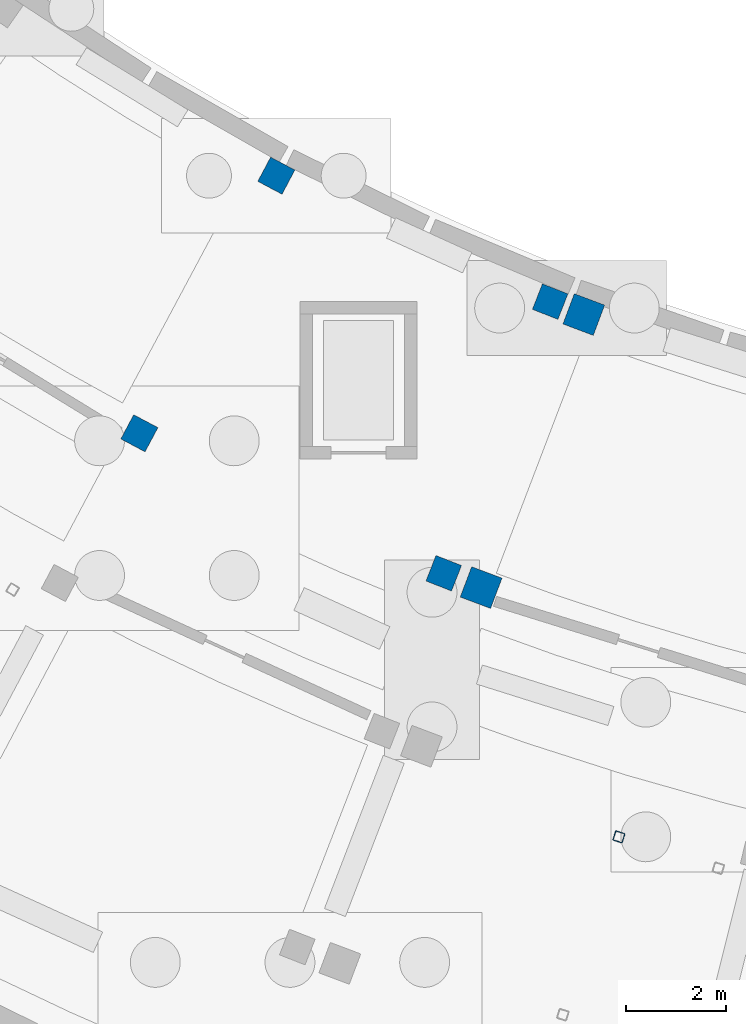
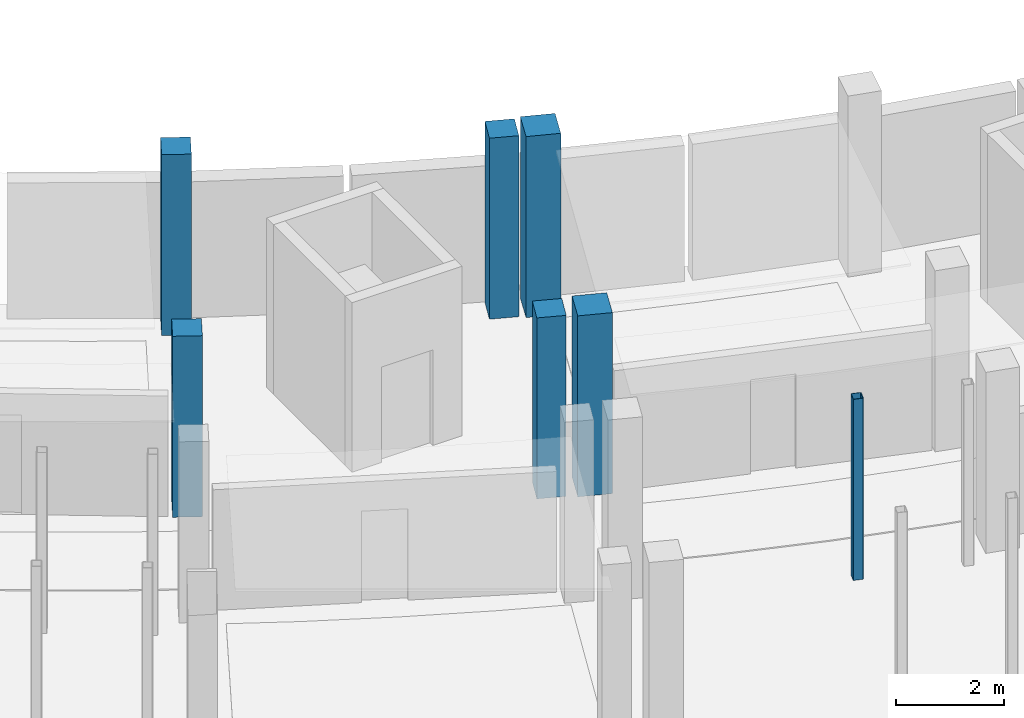
# One storey, part 14 of 58: 7 columns.
"""IFC4 building model written with IfcOpenShell, lengths in metres."""

from ifc_helpers import new_model, si_unit, direction, frame, origin, origin_2d, place, context, subcontext, project, spatial, rectangle, hollow_rectangle, extrude, material, material_profile, profile_set, type_object, element, save


model = new_model("IFC4")

# Units and contexts
model_context = context("Model", 3, precision=1e-05, world=origin(), true_north=direction((0.0, 1.0)))
body_context = subcontext(model_context, "Body", "Model", "MODEL_VIEW")
ifc_project = project(units=[si_unit("LENGTHUNIT", "METRE"), si_unit("AREAUNIT", "SQUARE_METRE"), si_unit("VOLUMEUNIT", "CUBIC_METRE"), si_unit("PLANEANGLEUNIT", "RADIAN"), si_unit("MASSUNIT", "GRAM", prefix="KILO")], contexts=[model_context])

# Site, building, storey
site_placement = place(None, origin())
site = spatial("IfcSite", under=ifc_project, at=site_placement, CompositionType="ELEMENT")
building_placement = place(site_placement, origin())
building = spatial("IfcBuilding", under=site, at=building_placement, Name="Caldaven Crescent School", CompositionType="ELEMENT")
storey_placement = place(building_placement, frame((0.0, 0.0, -4.080078125)))
storey = spatial("IfcBuildingStorey", under=building, at=storey_placement, Name="B1", CompositionType="ELEMENT", Elevation=-4.080078125)

# Columns
ifc_material_1 = material(Name="Steel ASTM A572 Grade 50", Category="steel")
ifc_material_profile_1 = material_profile(ifc_material_1, hollow_rectangle(XDim=0.199951171875, YDim=0.199951171875, WallThickness=0.010009765625, InnerFilletRadius=0.010009765625, OuterFilletRadius=0.02001953125, at=origin_2d()), Name="HSS 200x200x10")
ifc_profile_set_1 = profile_set([ifc_material_profile_1], Name="Steel ASTM A572 Grade 50")
column_type_1 = type_object("IfcColumnType", Name="COL-HS20", PredefinedType="COLUMN", material=ifc_profile_set_1)
column_placement = place(storey_placement, frame((70.245849609375, 36.431884765625, 0.0), z_axis=(0.0, 0.0, 1.0), x_axis=(0.953716950748, -0.300705799504, 0.0)))
element("IfcColumn", 1, at=column_placement, inside=storey, type_object=column_type_1, Name="COL-STPOST-ST2-B1-B", PredefinedType="COLUMN", context=body_context, shape_type="SweptSolid", body=[
    extrude(hollow_rectangle(XDim=0.199951171875, YDim=0.199951171875, WallThickness=0.010009765625, InnerFilletRadius=0.010009765625, OuterFilletRadius=0.02001953125, at=origin_2d()), origin(), (0.0, 0.0, 1.0), 4.080078125),
])
ifc_material_2 = material(Name="Concrete C35/45", Category="concrete")
ifc_material_profile_2 = material_profile(ifc_material_2, rectangle(XDim=0.550048828125, YDim=0.550048828125, at=origin_2d()), Name="RC 550x550")
ifc_profile_set_2 = profile_set([ifc_material_profile_2], Name="Concrete C35/45")
column_type_2 = type_object("IfcColumnType", Name="COL-RC55", PredefinedType="COLUMN", material=ifc_profile_set_2)
for number, where, z_axis, x_axis, name in (
    (2, (63.376220703125, 49.689453125, 0.0), (0.0, 0.0, 1.0), (-0.469471562786, -0.882947592859, 0.0), "COL-V4W-B1-04-0"),
    (3, (60.6298828125, 44.524169921875, 0.0), (0.0, 0.0, 1.0), (-0.469471562786, -0.882947592859, 0.0), "COL-V4W-B1-04-1"),
    (4, (68.866943359375, 47.164306640625, 0.0), (0.0, 0.0, 1.0), (-0.364714278886, -0.931119484694, 0.0), "COL-V4W-B1-05-0"),
    (5, (66.73291015625, 41.71728515625, 0.0), (0.0, 0.0, 1.0), (-0.364714278886, -0.931119484694, 0.0), "COL-V4W-B1-05-1"),
):
    element("IfcColumn", number, at=place(storey_placement, frame(where, z_axis=z_axis, x_axis=x_axis)), inside=storey, type_object=column_type_2, Name=name, PredefinedType="COLUMN", context=body_context, shape_type="SweptSolid", body=[
        extrude(rectangle(XDim=0.550048828125, YDim=0.550048828125, at=origin_2d()), origin(), (0.0, 0.0, 1.0), 4.080078125),
    ])
ifc_material_profile_3 = material_profile(ifc_material_2, rectangle(XDim=0.64990234375, YDim=0.64990234375, at=origin_2d()), Name="RC 650x650")
ifc_profile_set_3 = profile_set([ifc_material_profile_3], Name="Concrete C35/45")
column_type_3 = type_object("IfcColumnType", Name="COL-RC65", PredefinedType="COLUMN", material=ifc_profile_set_3)
for number, where, z_axis, x_axis, name in (
    (6, (69.541259765625, 46.905517578125, 0.0), (0.0, 0.0, 1.0), (-0.352005016254, -0.93599811353, 0.0), "COL-V5-B1-00-0"),
    (7, (67.482421875, 41.4296875, 0.0), (0.0, 0.0, 1.0), (-0.352005016254, -0.93599811353, 0.0), "COL-V5-B1-00-1"),
):
    element("IfcColumn", number, at=place(storey_placement, frame(where, z_axis=z_axis, x_axis=x_axis)), inside=storey, type_object=column_type_3, Name=name, PredefinedType="COLUMN", context=body_context, shape_type="SweptSolid", body=[
        extrude(rectangle(XDim=0.64990234375, YDim=0.64990234375, at=origin_2d()), origin(), (0.0, 0.0, 1.0), 4.080078125),
    ])

save(model, "model.ifc")
